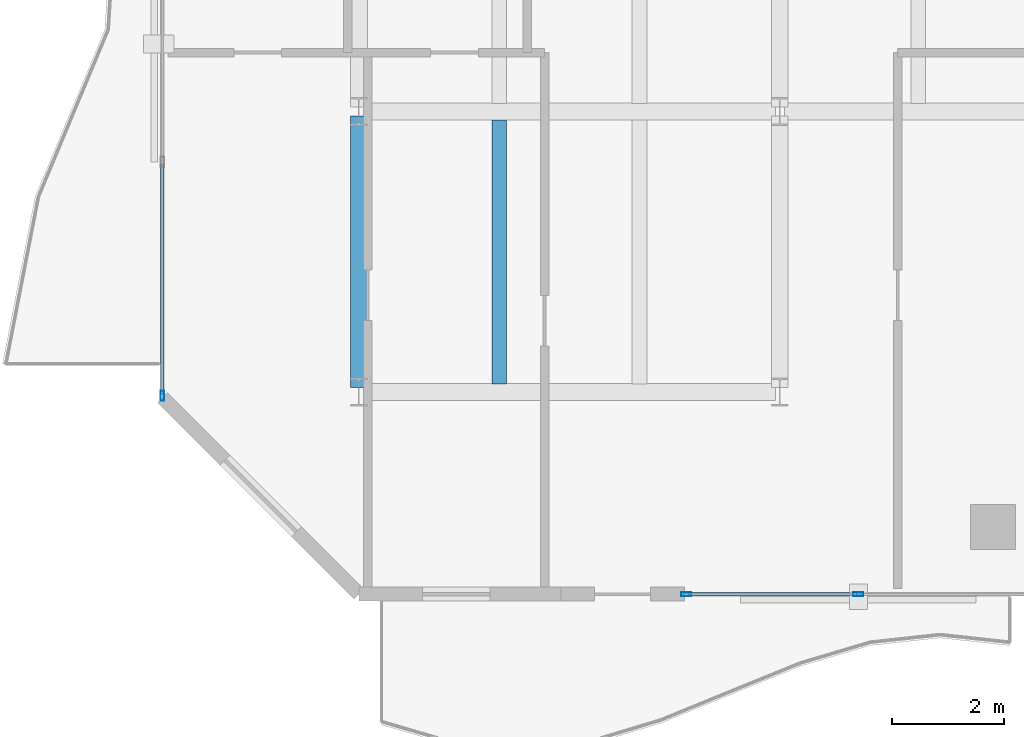
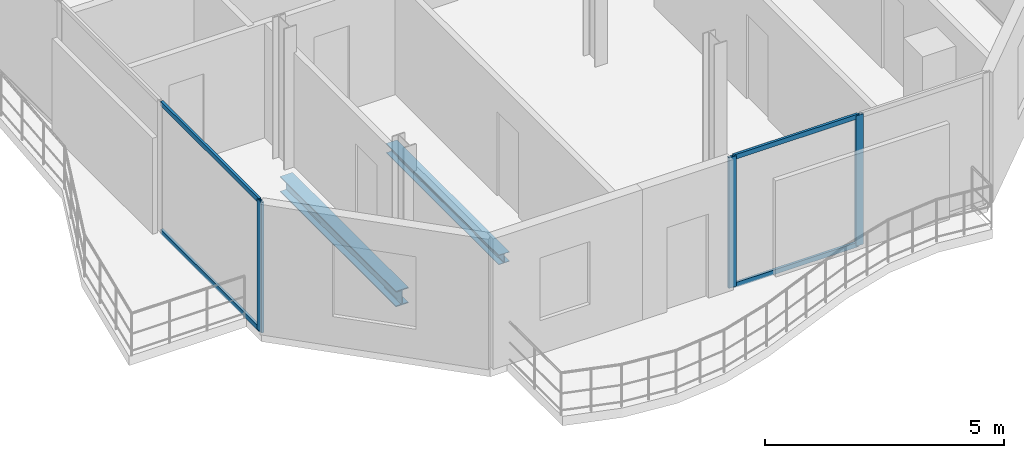
# One storey, part 3 of 23: 7 members, 2 beams, 2 elements without a shape of their own.
"""IFC4 building model written with IfcOpenShell, lengths in metres."""

import ifcopenshell
import ifcopenshell.guid

model = None  # the IFC model being written
_history = None  # IfcOwnerHistory: only IFC2X3 demands one
_inside = {}  # id of a spatial element -> (the spatial element, [elements in it])
_under = {}  # id of a project, library or spatial element -> (it, [spatial elements below it])
_declared = {}  # id of a project -> (the project, [libraries it declares])
_typed = {}  # id of a type object -> (the type object, [elements of that type])
_made_of = {}  # id of a material, layer set ... -> (it, [elements and type objects made of it])


def new_model(schema):
    """Start an empty IFC model of exactly this schema.

    Asked for "IFC4X3", IfcOpenShell would pick the latest addendum, in which some entities
    have other attributes; the version numbers below select the first issue.
    IFC2X3 requires an IfcOwnerHistory on every rooted entity: one is made here for all.
    """
    global model, _history
    if schema == "IFC4X3":
        model = ifcopenshell.file(schema_version=(4, 3, 0, 0))
    else:
        model = ifcopenshell.file(schema=schema)
    _inside.clear()
    _under.clear()
    _declared.clear()
    _typed.clear()
    _made_of.clear()
    _history = None
    if model.schema == "IFC2X3":
        org = make("IfcOrganization", Name="unknown")
        user = make(
            "IfcPersonAndOrganization",
            ThePerson=make("IfcPerson", FamilyName="unknown"),
            TheOrganization=org,
        )
        app = make(
            "IfcApplication",
            ApplicationDeveloper=org,
            Version="unknown",
            ApplicationFullName="unknown",
            ApplicationIdentifier="unknown",
        )
        _history = make(
            "IfcOwnerHistory",
            OwningUser=user,
            OwningApplication=app,
            ChangeAction="ADDED",
            CreationDate=0,
        )
    return model


def make(cls, **values):
    """One entity of the class cls with the attributes given. An attribute that is None is left unset."""
    return model.create_entity(
        cls, **{name: value for name, value in values.items() if value is not None}
    )


def rooted(cls, **values):
    """An entity with a GlobalId (a new one), such as an element, a storey or a relation."""
    return make(cls, GlobalId=ifcopenshell.guid.new(), OwnerHistory=_history, **values)


def si_unit(unit_type, name, prefix=None):
    """IfcSIUnit, for example si_unit("LENGTHUNIT", "METRE", prefix="MILLI")."""
    return make("IfcSIUnit", UnitType=unit_type, Prefix=prefix, Name=name)


def assignment(units):
    """IfcUnitAssignment: the units of a project."""
    return None if units is None else make("IfcUnitAssignment", Units=units)


def point(xyz):
    """IfcCartesianPoint."""
    return None if xyz is None else make("IfcCartesianPoint", Coordinates=xyz)


def direction(xyz):
    """IfcDirection."""
    return None if xyz is None else make("IfcDirection", DirectionRatios=xyz)


def frame(location, z_axis=None, x_axis=None):
    """IfcAxis2Placement3D, a coordinate frame: its origin and axes. An axis left out is left unset."""
    return make(
        "IfcAxis2Placement3D",
        Location=point(location),
        Axis=direction(z_axis),
        RefDirection=direction(x_axis),
    )


def frame_2d(location, x_axis=None):
    """IfcAxis2Placement2D, a coordinate frame in the plane: its origin and x axis."""
    return make(
        "IfcAxis2Placement2D", Location=point(location), RefDirection=direction(x_axis)
    )


def origin():
    """The frame at (0, 0, 0) with its axes left unset."""
    return frame((0.0, 0.0, 0.0))


def origin_2d():
    """The frame at (0, 0) in the plane with its x axis left unset."""
    return frame_2d((0.0, 0.0))


def place(relative_to, where):
    """IfcLocalPlacement: puts the frame where relative to a parent placement (None: the world)."""
    return make(
        "IfcLocalPlacement", PlacementRelTo=relative_to, RelativePlacement=where
    )


def context(
    kind, dimensions, precision=None, world=None, true_north=None, identifier=None
):
    """IfcGeometricRepresentationContext, for example the 3D "Model" context."""
    return make(
        "IfcGeometricRepresentationContext",
        ContextIdentifier=identifier,
        ContextType=kind,
        CoordinateSpaceDimension=dimensions,
        Precision=precision,
        WorldCoordinateSystem=world,
        TrueNorth=true_north,
    )


def subcontext(parent, identifier, kind, view, scale=None):
    """IfcGeometricRepresentationSubContext, for example "Body" below "Model"."""
    return make(
        "IfcGeometricRepresentationSubContext",
        ContextIdentifier=identifier,
        ContextType=kind,
        ParentContext=parent,
        TargetScale=scale,
        TargetView=view,
    )


def project(units=None, contexts=None):
    """IfcProject with its units and contexts."""
    return rooted(
        "IfcProject",
        Name="project",
        RepresentationContexts=contexts,
        UnitsInContext=assignment(units),
    )


def spatial(cls, under=None, at=None, **own):
    """A site, building, storey or space (cls), placed at a placement, below another one or the project."""
    s = rooted(cls, ObjectPlacement=at, **own)
    if under is not None:
        _under.setdefault(under.id(), (under, []))[1].append(s)
    return s


def profile(cls, at=None, kind="AREA", **sizes):
    """A parametric profile (cls). Its sizes go by their IFC names, for example OverallWidth=200.0."""
    return make(cls, ProfileType=kind, Position=at, **sizes)


def hollow_rectangle(**sizes):
    """IfcRectangleHollowProfileDef."""
    return profile("IfcRectangleHollowProfileDef", **sizes)


def i_section(**sizes):
    """IfcIShapeProfileDef."""
    return profile("IfcIShapeProfileDef", **sizes)


def extrude(swept, where, along, depth):
    """IfcExtrudedAreaSolid: the profile swept, set in the frame where, extruded along a direction by depth."""
    return make(
        "IfcExtrudedAreaSolid",
        SweptArea=swept,
        Position=where,
        ExtrudedDirection=direction(along),
        Depth=depth,
    )


def shape(context_of_items, identifier, shape_type, items):
    """IfcShapeRepresentation: the items that make up one representation, for example the "Body"."""
    return make(
        "IfcShapeRepresentation",
        ContextOfItems=context_of_items,
        RepresentationIdentifier=identifier,
        RepresentationType=shape_type,
        Items=items,
    )


def material(Name=None, Category=None):
    """IfcMaterial."""
    return make("IfcMaterial", Name=Name, Category=Category)


def layer(
    of_material, thickness, ventilated=None, Name=None, Category=None, Priority=None
):
    """IfcMaterialLayer: one layer of a wall or slab, of a material (None: an air gap)."""
    return make(
        "IfcMaterialLayer",
        Material=of_material,
        LayerThickness=thickness,
        IsVentilated=ventilated,
        Name=Name,
        Category=Category,
        Priority=Priority,
    )


def layer_set(layers, Name=None):
    """IfcMaterialLayerSet."""
    return make("IfcMaterialLayerSet", MaterialLayers=layers, LayerSetName=Name)


def material_profile(
    of_material, cross_section, Name=None, Category=None, Priority=None
):
    """IfcMaterialProfile: a cross section and its material."""
    return make(
        "IfcMaterialProfile",
        Name=Name,
        Material=of_material,
        Profile=cross_section,
        Priority=Priority,
        Category=Category,
    )


def profile_set(profiles, Name=None, composite=None):
    """IfcMaterialProfileSet."""
    return make(
        "IfcMaterialProfileSet",
        Name=Name,
        MaterialProfiles=profiles,
        CompositeProfile=composite,
    )


def made_of(thing, what):
    """Note that an element or type object is made of a material, layer set ...; save() writes the relation."""
    if what is not None:
        _made_of.setdefault(what.id(), (what, []))[1].append(thing)
    return thing


def type_object(cls, material=None, **own):
    """A type object (cls), such as IfcWallType, which elements share."""
    return made_of(rooted(cls, **own), material)


def element(
    cls,
    number,
    at=None,
    inside=None,
    cuts=None,
    type_object=None,
    material=None,
    context=None,
    identifier="Body",
    shape_type=None,
    held_by="IfcProductDefinitionShape",
    body=None,
    shapes=None,
    **own,
):
    """One element of the class cls, such as IfcWall. Its Tag is "e" and its number.

    at: its placement. inside: the storey or other place that contains it. cuts: it is an
    opening in that element (IfcRelVoidsElement). A single representation is given by context,
    identifier, shape_type and body (its items); several are given by shapes. held_by: the class
    of the entity that holds the representations. save() writes the other relations.
    """
    e = rooted(cls, Tag="e%d" % number, ObjectPlacement=at, **own)
    if body is not None:
        shapes = [shape(context, identifier, shape_type, body)]
    if shapes is not None:
        e.Representation = make(held_by, Representations=shapes)
    if inside is not None:
        _inside.setdefault(inside.id(), (inside, []))[1].append(e)
    if cuts is not None:
        rooted(
            "IfcRelVoidsElement", RelatingBuildingElement=cuts, RelatedOpeningElement=e
        )
    if type_object is not None:
        _typed.setdefault(type_object.id(), (type_object, []))[1].append(e)
    return made_of(e, material)


def aggregate(whole, parts):
    """IfcRelAggregates: a whole, such as a stair, and the parts it consists of."""
    return rooted("IfcRelAggregates", RelatingObject=whole, RelatedObjects=parts)


def save(model, path):
    """Write the relations noted so far, then the file.

    IfcRelAggregates (storeys below a building ...), IfcRelContainedInSpatialStructure (elements
    in a storey), IfcRelDefinesByType, IfcRelAssociatesMaterial and IfcRelDeclares: one each for
    every whole, place, type object, material and project.
    """
    for whole, parts in _under.values():
        aggregate(whole, parts)
    for where, things in _inside.values():
        rooted(
            "IfcRelContainedInSpatialStructure",
            RelatedElements=things,
            RelatingStructure=where,
        )
    for kind, things in _typed.values():
        rooted("IfcRelDefinesByType", RelatedObjects=things, RelatingType=kind)
    for what, things in _made_of.values():
        rooted("IfcRelAssociatesMaterial", RelatedObjects=things, RelatingMaterial=what)
    for by, libraries in _declared.values():
        rooted("IfcRelDeclares", RelatingContext=by, RelatedDefinitions=libraries)
    model.write(path)


model = new_model("IFC4")

# Units and contexts
model_context = context("Model", 3, precision=1e-05, world=origin(), true_north=direction((0.0, 1.0)))
body_context = subcontext(model_context, "Body", "Model", "MODEL_VIEW")
ifc_project = project(units=[si_unit("LENGTHUNIT", "METRE"), si_unit("AREAUNIT", "SQUARE_METRE"), si_unit("VOLUMEUNIT", "CUBIC_METRE"), si_unit("PLANEANGLEUNIT", "RADIAN"), si_unit("MASSUNIT", "GRAM", prefix="KILO")], contexts=[model_context])

# Site, building, storey
site_placement = place(None, origin())
site = spatial("IfcSite", under=ifc_project, at=site_placement, CompositionType="ELEMENT")
building_placement = place(site_placement, origin())
building = spatial("IfcBuilding", under=site, at=building_placement, Name="Catumbela Crestline Tower", CompositionType="ELEMENT")
storey_placement = place(building_placement, frame((0.0, 0.0, 183.0)))
storey = spatial("IfcBuildingStorey", under=building, at=storey_placement, Name="L47", CompositionType="ELEMENT", Elevation=183.0)

# Beams
ifc_material_1 = material(Name="Structural steel S355J2", Category="steel")
ifc_material_profile_1 = material_profile(ifc_material_1, i_section(OverallWidth=0.3, OverallDepth=0.4, WebThickness=0.0135, FlangeThickness=0.024, FilletRadius=0.027, at=origin_2d()), Name="HEB 400")
ifc_profile_set_1 = profile_set([ifc_material_profile_1], Name="Structural steel S355J2")
beam_type_1 = type_object("IfcBeamType", Name="BG-HEB400", PredefinedType="BEAM", material=ifc_profile_set_1)
beam_1_placement = place(storey_placement, frame((8.5, 8.68, -0.46), z_axis=(0.0, 1.0, 0.0), x_axis=(-1.0, 0.0, 0.0)))
element("IfcBeam", 1, at=beam_1_placement, inside=storey, type_object=beam_type_1, Name="L47 Beam BM-L47-WNS37", PredefinedType="BEAM", context=body_context, shape_type="SweptSolid", body=[
    extrude(i_section(OverallWidth=0.3, OverallDepth=0.4, WebThickness=0.0135, FlangeThickness=0.024, FilletRadius=0.027, at=origin_2d()), origin(), (0.0, 0.0, 1.0), 4.84),
])
ifc_material_profile_2 = material_profile(ifc_material_1, i_section(OverallWidth=0.26, OverallDepth=0.25, WebThickness=0.0075, FlangeThickness=0.0125, FilletRadius=0.024, at=origin_2d()), Name="HEA 260")
ifc_profile_set_2 = profile_set([ifc_material_profile_2], Name="Structural steel S355J2")
beam_type_2 = type_object("IfcBeamType", Name="BJ-HEA260", PredefinedType="JOIST", material=ifc_profile_set_2)
beam_2_placement = place(storey_placement, frame((11.0, 8.747, -0.385), z_axis=(0.0, 1.0, 0.0), x_axis=(-1.0, 0.0, 0.0)))
element("IfcBeam", 2, at=beam_2_placement, inside=storey, type_object=beam_type_2, Name="L47 Joist JS-L47-WG44", PredefinedType="JOIST", context=body_context, shape_type="SweptSolid", body=[
    extrude(i_section(OverallWidth=0.26, OverallDepth=0.25, WebThickness=0.0075, FlangeThickness=0.0125, FilletRadius=0.024, at=origin_2d()), origin(), (0.0, 0.0, 1.0), 4.706),
])

# Curtain wall, members
ifc_material_2 = material(Name="Aluminium alloy AW-6060-T66", Category="aluminium")
ifc_layer = layer(ifc_material_2, 0.18, Name="Aluminium alloy AW-6060-T66")
ifc_layer_set = layer_set([ifc_layer], Name="Aluminium alloy AW-6060-T66")
curtain_wall_type = type_object("IfcCurtainWallType", Name="CWU-Z3", PredefinedType="USERDEFINED", material=ifc_layer_set)
curtain_wall_1_placement = place(storey_placement, origin())
curtain_wall_1 = element("IfcCurtainWall", 3, at=curtain_wall_1_placement, inside=storey, type_object=curtain_wall_type, Name="L47 Unitised Curtain Wall CW-L47-E0S2", ObjectType="UNITISED", PredefinedType="USERDEFINED")
ifc_material_profile_3 = material_profile(ifc_material_2, hollow_rectangle(XDim=0.065, YDim=0.18, WallThickness=0.004, at=origin_2d()), Name="ALU 180x65x4")
ifc_profile_set_3 = profile_set([ifc_material_profile_3], Name="Aluminium alloy AW-6060-T66")
member_type_1 = type_object("IfcMemberType", Name="MUL-180X65", PredefinedType="MULLION", material=ifc_profile_set_3)
member_1_placement = place(storey_placement, frame((14.3325, 5.0, 0.0), z_axis=(0.0, 0.0, 1.0), x_axis=(0.0, 1.0, 0.0)))
member_1 = element("IfcMember", 4, at=member_1_placement, type_object=member_type_1, Name="CWU-Z3 mullion 1", PredefinedType="MULLION", context=body_context, shape_type="SweptSolid", body=[
    extrude(hollow_rectangle(XDim=0.065, YDim=0.18, WallThickness=0.004, at=origin_2d()), origin(), (0.0, 0.0, 1.0), 3.33),
])
member_2_placement = place(storey_placement, frame((17.4, 5.0, 0.0), z_axis=(0.0, 0.0, 1.0), x_axis=(0.0, 1.0, 0.0)))
member_2 = element("IfcMember", 5, at=member_2_placement, type_object=member_type_1, Name="CWU-Z3 mullion 2", PredefinedType="MULLION", context=body_context, shape_type="SweptSolid", body=[
    extrude(hollow_rectangle(XDim=0.065, YDim=0.18, WallThickness=0.004, at=origin_2d()), origin(), (0.0, 0.0, 1.0), 3.33),
])

# Curtain wall, member
curtain_wall_2_placement = place(storey_placement, origin())
curtain_wall_2 = element("IfcCurtainWall", 6, at=curtain_wall_2_placement, inside=storey, type_object=curtain_wall_type, Name="L47 Unitised Curtain Wall CW-L47-E9S2", ObjectType="UNITISED", PredefinedType="USERDEFINED")
member_3_placement = place(storey_placement, frame((5.0, 8.5325, 0.0), z_axis=(0.0, 0.0, 1.0), x_axis=(1.0, 0.0, 0.0)))
member_3 = element("IfcMember", 7, at=member_3_placement, type_object=member_type_1, Name="CWU-Z3 mullion 7", PredefinedType="MULLION", context=body_context, shape_type="SweptSolid", body=[
    extrude(hollow_rectangle(XDim=0.065, YDim=0.18, WallThickness=0.004, at=origin_2d()), origin(), (0.0, 0.0, 1.0), 3.33),
])

# Member
ifc_material_profile_4 = material_profile(ifc_material_2, hollow_rectangle(XDim=0.06, YDim=0.12, WallThickness=0.0035, at=origin_2d()), Name="ALU 120x60x3.5")
ifc_profile_set_4 = profile_set([ifc_material_profile_4], Name="Aluminium alloy AW-6060-T66")
member_type_2 = type_object("IfcMemberType", Name="TRN-120X60", PredefinedType="USERDEFINED", material=ifc_profile_set_4)
member_4_placement = place(storey_placement, frame((14.365, 5.0, 0.03), z_axis=(1.0, 0.0, 0.0), x_axis=(0.0, 1.0, 0.0)))
member_4 = element("IfcMember", 8, at=member_4_placement, type_object=member_type_2, Name="CWU-Z3 transom 1.1", ObjectType="TRANSOM", PredefinedType="USERDEFINED", context=body_context, shape_type="SweptSolid", body=[
    extrude(hollow_rectangle(XDim=0.06, YDim=0.12, WallThickness=0.0035, at=origin_2d()), origin(), (0.0, 0.0, 1.0), 3.0025),
])

member_5_placement = place(storey_placement, frame((14.365, 5.0, 3.3), z_axis=(1.0, 0.0, 0.0), x_axis=(0.0, 1.0, 0.0)))
member_5 = element("IfcMember", 9, at=member_5_placement, type_object=member_type_2, Name="CWU-Z3 transom 1.2", ObjectType="TRANSOM", PredefinedType="USERDEFINED", context=body_context, shape_type="SweptSolid", body=[
    extrude(hollow_rectangle(XDim=0.06, YDim=0.12, WallThickness=0.0035, at=origin_2d()), origin(), (0.0, 0.0, 1.0), 3.0025),
])

aggregate(curtain_wall_1, [member_1, member_2, member_4, member_5])

member_6_placement = place(storey_placement, frame((5.0, 12.6675, 0.03), z_axis=(0.0, -1.0, 0.0), x_axis=(1.0, 0.0, 0.0)))
member_6 = element("IfcMember", 10, at=member_6_placement, type_object=member_type_2, Name="CWU-Z3 transom 6.1", ObjectType="TRANSOM", PredefinedType="USERDEFINED", context=body_context, shape_type="SweptSolid", body=[
    extrude(hollow_rectangle(XDim=0.06, YDim=0.12, WallThickness=0.0035, at=origin_2d()), origin(), (0.0, 0.0, 1.0), 4.1025),
])

member_7_placement = place(storey_placement, frame((5.0, 12.6675, 3.3), z_axis=(0.0, -1.0, 0.0), x_axis=(1.0, 0.0, 0.0)))
member_7 = element("IfcMember", 11, at=member_7_placement, type_object=member_type_2, Name="CWU-Z3 transom 6.2", ObjectType="TRANSOM", PredefinedType="USERDEFINED", context=body_context, shape_type="SweptSolid", body=[
    extrude(hollow_rectangle(XDim=0.06, YDim=0.12, WallThickness=0.0035, at=origin_2d()), origin(), (0.0, 0.0, 1.0), 4.1025),
])

aggregate(curtain_wall_2, [member_3, member_6, member_7])

save(model, "model.ifc")
